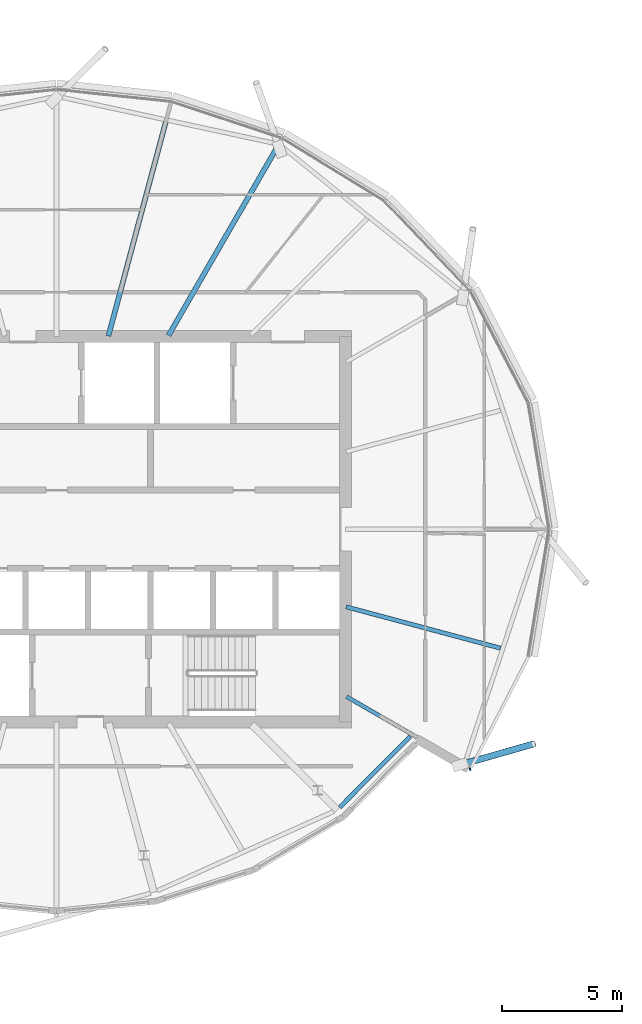
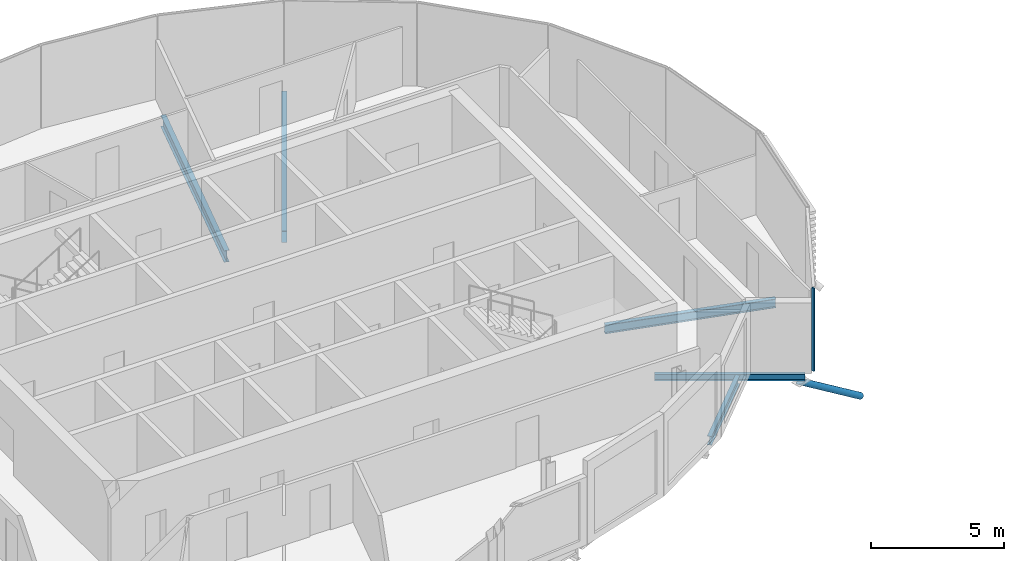
# One storey, part 6 of 33: 5 beams, 2 members, 1 element without a shape of its own.
"""IFC4 building model written with IfcOpenShell, lengths in metres."""

from ifc_helpers import new_model, si_unit, direction, frame, origin, origin_2d, place, context, subcontext, project, spatial, rectangle, hollow_circle, i_section, extrude, clip, halfspace, material, material_profile, profile_set, type_object, element, aggregate, save


model = new_model("IFC4")

# Units and contexts
model_context = context("Model", 3, precision=1e-05, world=origin(), true_north=direction((0.0, 1.0)))
body_context = subcontext(model_context, "Body", "Model", "MODEL_VIEW")
ifc_project = project(units=[si_unit("LENGTHUNIT", "METRE"), si_unit("AREAUNIT", "SQUARE_METRE"), si_unit("VOLUMEUNIT", "CUBIC_METRE"), si_unit("PLANEANGLEUNIT", "RADIAN"), si_unit("MASSUNIT", "GRAM", prefix="KILO")], contexts=[model_context])

# Site, building, storey
site_placement = place(None, origin())
site = spatial("IfcSite", under=ifc_project, at=site_placement, CompositionType="ELEMENT")
building_placement = place(site_placement, origin())
building = spatial("IfcBuilding", under=site, at=building_placement, Name="Rimbun Link Towers", CompositionType="ELEMENT")
storey_placement = place(building_placement, frame((0.0, 0.0, 240.89990234375)))
storey = spatial("IfcBuildingStorey", under=building, at=storey_placement, Name="L59", CompositionType="ELEMENT", Elevation=240.89990234375)

# Curtain wall, member
ifc_material_1 = material(Name="Aluminium 6063-T6 and low-iron glass", Category="aluminium")
curtain_wall_type = type_object("IfcCurtainWallType", Name="CW1-Z4 unitised vision wall (zone 4)", PredefinedType="NOTDEFINED", material=ifc_material_1)
curtain_wall_placement = place(storey_placement, origin())
curtain_wall = element("IfcCurtainWall", 1, at=curtain_wall_placement, inside=storey, type_object=curtain_wall_type, Name="CW1 L59 T1", PredefinedType="NOTDEFINED")
ifc_material_2 = material(Name="Aluminium 6063-T6", Category="aluminium")
ifc_material_profile_1 = material_profile(ifc_material_2, rectangle(XDim=0.1201171875, YDim=0.06005859375, at=origin_2d()), Name="MULLION 60X120")
ifc_profile_set_1 = profile_set([ifc_material_profile_1], Name="Aluminium 6063-T6")
member_type_1 = type_object("IfcMemberType", Name="CW1 mullion 60X120", PredefinedType="MULLION", material=ifc_profile_set_1)
member_1_placement = place(storey_placement, frame((-14.58154296875, -9.960205078125, 0.0), z_axis=(0.0, 0.0, 1.0), x_axis=(0.281011803898, -0.959704311791, 0.0)))
member_1 = element("IfcMember", 2, at=member_1_placement, type_object=member_type_1, Name="CW1 mullion", PredefinedType="MULLION", context=body_context, shape_type="SweptSolid", body=[
    extrude(rectangle(XDim=0.1201171875, YDim=0.06005859375, at=origin_2d()), origin(), (0.0, 0.0, 1.0), 3.800048828125),
])
aggregate(curtain_wall, [member_1])

# Member
ifc_material_3 = material(Name="Steel S355J2H", Category="steel")
ifc_material_profile_2 = material_profile(ifc_material_3, hollow_circle(Radius=0.136474609375, WallThickness=0.012451171875, at=origin_2d()), Name="CHS 273x12.5")
ifc_profile_set_2 = profile_set([ifc_material_profile_2], Name="Steel S355J2H")
member_type_2 = type_object("IfcMemberType", Name="Floor edge link CHS 273x12.5", PredefinedType="BRACE", material=ifc_profile_set_2)
member_2_placement = place(storey_placement, frame((-14.864501953125, -9.748779296875, -0.554931640625), z_axis=(0.785313398355, 0.223311247552, -0.577420949639), x_axis=(-0.273516048909, 0.961867439406, 0.0)))
element("IfcMember", 3, at=member_2_placement, inside=storey, type_object=member_type_2, Name="Floor edge link T1 L59 22", PredefinedType="BRACE", context=body_context, shape_type="Clipping", body=[
    clip(extrude(hollow_circle(Radius=0.136474609375, WallThickness=0.012451171875, at=origin_2d()), frame((0.0, 0.0, -0.4033203125)), (0.0, 0.0, 1.0), 4.14013671875), halfspace(frame((0.0, 0.0, -0.18994140625), z_axis=(0.0, 0.816446597714, -0.577420949639)), False)),
])

# Beams
ifc_material_4 = material(Name="Steel S355J2", Category="steel")
ifc_material_profile_3 = material_profile(ifc_material_4, i_section(OverallWidth=0.1650390625, OverallDepth=0.303466796875, WebThickness=0.006103515625, FlangeThickness=0.01025390625, at=origin_2d()), Name="UB 305x165x40")
ifc_profile_set_3 = profile_set([ifc_material_profile_3], Name="Steel S355J2")
beam_type_1 = type_object("IfcBeamType", Name="UB 305x165x40", PredefinedType="BEAM", material=ifc_profile_set_3)
beam_1_placement = place(storey_placement, frame((-19.7080078125, -6.952392578125, -0.29150390625), z_axis=(0.866029956157, -0.499992114976, 0.0), x_axis=(0.499992114976, 0.866029956157, 0.0)))
element("IfcBeam", 4, at=beam_1_placement, inside=storey, type_object=beam_type_1, Name="Radial beam T1 L59 22", PredefinedType="BEAM", context=body_context, shape_type="SweptSolid", body=[
    extrude(i_section(OverallWidth=0.1650390625, OverallDepth=0.303466796875, WebThickness=0.006103515625, FlangeThickness=0.01025390625, at=origin_2d()), origin(), (0.0, 0.0, 1.0), 5.642578125),
])
ifc_material_5 = material(Name="Steel S355J2", Category="steel")
ifc_material_profile_4 = material_profile(ifc_material_5, i_section(OverallWidth=0.177978515625, OverallDepth=0.406494140625, WebThickness=0.0078125, FlangeThickness=0.0126953125, at=origin_2d()), Name="UB 406x178x60")
ifc_profile_set_4 = profile_set([ifc_material_profile_4], Name="Steel S355J2")
beam_type_2 = type_object("IfcBeamType", Name="UB 406x178x60", PredefinedType="BEAM", material=ifc_profile_set_4)
beam_2_placement = place(storey_placement, frame((-19.72607421875, -3.2216796875, -0.343017578125), z_axis=(0.965919329481, -0.258843290303, 0.0), x_axis=(0.258843290303, 0.965919329481, 0.0)))
element("IfcBeam", 5, at=beam_2_placement, inside=storey, type_object=beam_type_2, Name="Radial beam T1 L59 23", PredefinedType="BEAM", context=body_context, shape_type="SweptSolid", body=[
    extrude(i_section(OverallWidth=0.177978515625, OverallDepth=0.406494140625, WebThickness=0.0078125, FlangeThickness=0.0126953125, at=origin_2d()), origin(), (0.0, 0.0, 1.0), 6.64013671875),
])
beam_3_placement = place(storey_placement, frame((-19.992919921875, -11.548583984375, -0.343017578125), z_axis=(0.704811284696, 0.709394849829, 0.0), x_axis=(-0.709394849829, 0.704811284696, 0.0)))
element("IfcBeam", 6, at=beam_3_placement, inside=storey, type_object=beam_type_2, Name="Edge beam T1 L59 21 recess", PredefinedType="BEAM", context=body_context, shape_type="SweptSolid", body=[
    extrude(i_section(OverallWidth=0.177978515625, OverallDepth=0.406494140625, WebThickness=0.0078125, FlangeThickness=0.0126953125, at=origin_2d()), origin(), (0.0, 0.0, 1.0), 4.154541015625),
])
ifc_material_6 = material(Name="Steel S355J2", Category="steel")
ifc_material_profile_5 = material_profile(ifc_material_6, i_section(OverallWidth=0.209228515625, OverallDepth=0.533203125, WebThickness=0.010009765625, FlangeThickness=0.015625, at=origin_2d()), Name="UB 533x210x92")
ifc_profile_set_5 = profile_set([ifc_material_profile_5], Name="Steel S355J2")
beam_type_3 = type_object("IfcBeamType", Name="UB 533x210x92", PredefinedType="BEAM", material=ifc_profile_set_5)
beam_4_placement = place(storey_placement, frame((-27.1005859375, 8.05322265625, -0.406494140625), z_axis=(0.500016122821, 0.866016095069, 0.0), x_axis=(-0.866016095069, 0.500016122821, 0.0)))
element("IfcBeam", 7, at=beam_4_placement, inside=storey, type_object=beam_type_3, Name="Radial beam T1 L59 04", PredefinedType="BEAM", context=body_context, shape_type="SweptSolid", body=[
    extrude(i_section(OverallWidth=0.209228515625, OverallDepth=0.533203125, WebThickness=0.010009765625, FlangeThickness=0.015625, at=origin_2d()), origin(), (0.0, 0.0, 1.0), 9.163330078125),
])
beam_5_placement = place(storey_placement, frame((-29.598876953125, 8.028076171875, -0.406494140625), z_axis=(0.2588320469, 0.965922342374, 0.0), x_axis=(-0.965922342374, 0.2588320469, 0.0)))
element("IfcBeam", 8, at=beam_5_placement, inside=storey, type_object=beam_type_3, Name="Radial beam T1 L59 05", PredefinedType="BEAM", context=body_context, shape_type="SweptSolid", body=[
    extrude(i_section(OverallWidth=0.209228515625, OverallDepth=0.533203125, WebThickness=0.010009765625, FlangeThickness=0.015625, at=origin_2d()), origin(), (0.0, 0.0, 1.0), 9.198486328125),
])

save(model, "model.ifc")
